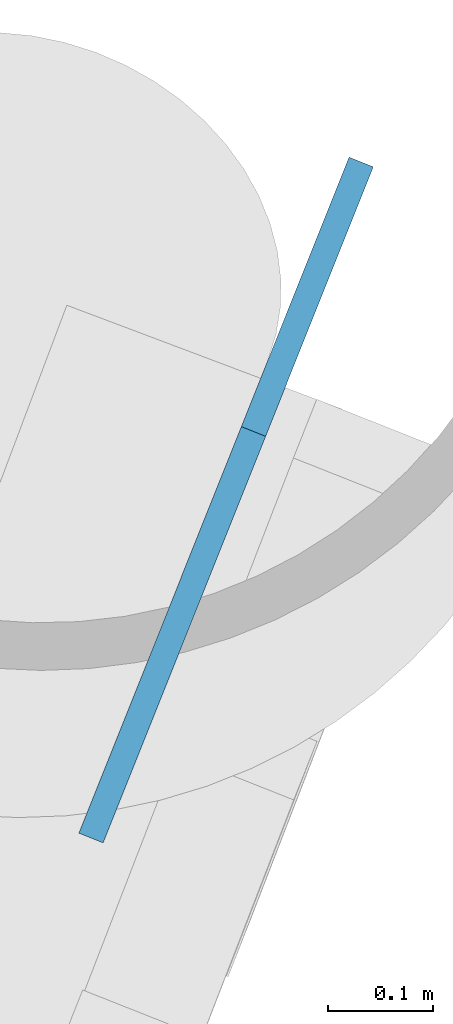
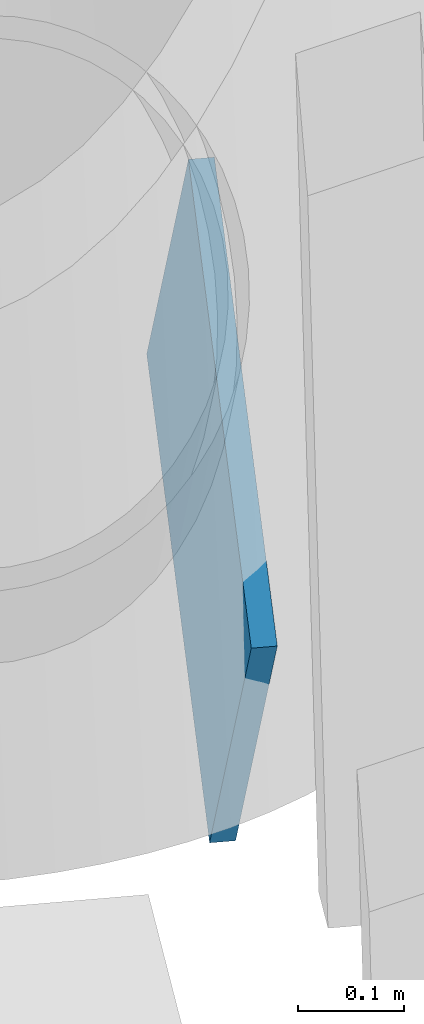
# One storey, part 14 of 23: 1 discrete accessory.
"""IFC4 building model written with IfcOpenShell, lengths in metres."""

import ifcopenshell
import ifcopenshell.guid

model = None  # the IFC model being written
_history = None  # IfcOwnerHistory: only IFC2X3 demands one
_inside = {}  # id of a spatial element -> (the spatial element, [elements in it])
_under = {}  # id of a project, library or spatial element -> (it, [spatial elements below it])
_declared = {}  # id of a project -> (the project, [libraries it declares])
_typed = {}  # id of a type object -> (the type object, [elements of that type])
_made_of = {}  # id of a material, layer set ... -> (it, [elements and type objects made of it])


def new_model(schema):
    """Start an empty IFC model of exactly this schema.

    Asked for "IFC4X3", IfcOpenShell would pick the latest addendum, in which some entities
    have other attributes; the version numbers below select the first issue.
    IFC2X3 requires an IfcOwnerHistory on every rooted entity: one is made here for all.
    """
    global model, _history
    if schema == "IFC4X3":
        model = ifcopenshell.file(schema_version=(4, 3, 0, 0))
    else:
        model = ifcopenshell.file(schema=schema)
    _inside.clear()
    _under.clear()
    _declared.clear()
    _typed.clear()
    _made_of.clear()
    _history = None
    if model.schema == "IFC2X3":
        org = make("IfcOrganization", Name="unknown")
        user = make(
            "IfcPersonAndOrganization",
            ThePerson=make("IfcPerson", FamilyName="unknown"),
            TheOrganization=org,
        )
        app = make(
            "IfcApplication",
            ApplicationDeveloper=org,
            Version="unknown",
            ApplicationFullName="unknown",
            ApplicationIdentifier="unknown",
        )
        _history = make(
            "IfcOwnerHistory",
            OwningUser=user,
            OwningApplication=app,
            ChangeAction="ADDED",
            CreationDate=0,
        )
    return model


def make(cls, **values):
    """One entity of the class cls with the attributes given. An attribute that is None is left unset."""
    return model.create_entity(
        cls, **{name: value for name, value in values.items() if value is not None}
    )


def rooted(cls, **values):
    """An entity with a GlobalId (a new one), such as an element, a storey or a relation."""
    return make(cls, GlobalId=ifcopenshell.guid.new(), OwnerHistory=_history, **values)


def si_unit(unit_type, name, prefix=None):
    """IfcSIUnit, for example si_unit("LENGTHUNIT", "METRE", prefix="MILLI")."""
    return make("IfcSIUnit", UnitType=unit_type, Prefix=prefix, Name=name)


def assignment(units):
    """IfcUnitAssignment: the units of a project."""
    return None if units is None else make("IfcUnitAssignment", Units=units)


def point(xyz):
    """IfcCartesianPoint."""
    return None if xyz is None else make("IfcCartesianPoint", Coordinates=xyz)


def direction(xyz):
    """IfcDirection."""
    return None if xyz is None else make("IfcDirection", DirectionRatios=xyz)


def frame(location, z_axis=None, x_axis=None):
    """IfcAxis2Placement3D, a coordinate frame: its origin and axes. An axis left out is left unset."""
    return make(
        "IfcAxis2Placement3D",
        Location=point(location),
        Axis=direction(z_axis),
        RefDirection=direction(x_axis),
    )


def frame_2d(location, x_axis=None):
    """IfcAxis2Placement2D, a coordinate frame in the plane: its origin and x axis."""
    return make(
        "IfcAxis2Placement2D", Location=point(location), RefDirection=direction(x_axis)
    )


def origin():
    """The frame at (0, 0, 0) with its axes left unset."""
    return frame((0.0, 0.0, 0.0))


def origin_2d():
    """The frame at (0, 0) in the plane with its x axis left unset."""
    return frame_2d((0.0, 0.0))


def place(relative_to, where):
    """IfcLocalPlacement: puts the frame where relative to a parent placement (None: the world)."""
    return make(
        "IfcLocalPlacement", PlacementRelTo=relative_to, RelativePlacement=where
    )


def context(
    kind, dimensions, precision=None, world=None, true_north=None, identifier=None
):
    """IfcGeometricRepresentationContext, for example the 3D "Model" context."""
    return make(
        "IfcGeometricRepresentationContext",
        ContextIdentifier=identifier,
        ContextType=kind,
        CoordinateSpaceDimension=dimensions,
        Precision=precision,
        WorldCoordinateSystem=world,
        TrueNorth=true_north,
    )


def subcontext(parent, identifier, kind, view, scale=None):
    """IfcGeometricRepresentationSubContext, for example "Body" below "Model"."""
    return make(
        "IfcGeometricRepresentationSubContext",
        ContextIdentifier=identifier,
        ContextType=kind,
        ParentContext=parent,
        TargetScale=scale,
        TargetView=view,
    )


def project(units=None, contexts=None):
    """IfcProject with its units and contexts."""
    return rooted(
        "IfcProject",
        Name="project",
        RepresentationContexts=contexts,
        UnitsInContext=assignment(units),
    )


def spatial(cls, under=None, at=None, **own):
    """A site, building, storey or space (cls), placed at a placement, below another one or the project."""
    s = rooted(cls, ObjectPlacement=at, **own)
    if under is not None:
        _under.setdefault(under.id(), (under, []))[1].append(s)
    return s


def profile(cls, at=None, kind="AREA", **sizes):
    """A parametric profile (cls). Its sizes go by their IFC names, for example OverallWidth=200.0."""
    return make(cls, ProfileType=kind, Position=at, **sizes)


def rectangle(**sizes):
    """IfcRectangleProfileDef."""
    return profile("IfcRectangleProfileDef", **sizes)


def extrude(swept, where, along, depth):
    """IfcExtrudedAreaSolid: the profile swept, set in the frame where, extruded along a direction by depth."""
    return make(
        "IfcExtrudedAreaSolid",
        SweptArea=swept,
        Position=where,
        ExtrudedDirection=direction(along),
        Depth=depth,
    )


def shape(context_of_items, identifier, shape_type, items):
    """IfcShapeRepresentation: the items that make up one representation, for example the "Body"."""
    return make(
        "IfcShapeRepresentation",
        ContextOfItems=context_of_items,
        RepresentationIdentifier=identifier,
        RepresentationType=shape_type,
        Items=items,
    )


def material(Name=None, Category=None):
    """IfcMaterial."""
    return make("IfcMaterial", Name=Name, Category=Category)


def material_profile(
    of_material, cross_section, Name=None, Category=None, Priority=None
):
    """IfcMaterialProfile: a cross section and its material."""
    return make(
        "IfcMaterialProfile",
        Name=Name,
        Material=of_material,
        Profile=cross_section,
        Priority=Priority,
        Category=Category,
    )


def profile_set(profiles, Name=None, composite=None):
    """IfcMaterialProfileSet."""
    return make(
        "IfcMaterialProfileSet",
        Name=Name,
        MaterialProfiles=profiles,
        CompositeProfile=composite,
    )


def made_of(thing, what):
    """Note that an element or type object is made of a material, layer set ...; save() writes the relation."""
    if what is not None:
        _made_of.setdefault(what.id(), (what, []))[1].append(thing)
    return thing


def type_object(cls, material=None, **own):
    """A type object (cls), such as IfcWallType, which elements share."""
    return made_of(rooted(cls, **own), material)


def element(
    cls,
    number,
    at=None,
    inside=None,
    cuts=None,
    type_object=None,
    material=None,
    context=None,
    identifier="Body",
    shape_type=None,
    held_by="IfcProductDefinitionShape",
    body=None,
    shapes=None,
    **own,
):
    """One element of the class cls, such as IfcWall. Its Tag is "e" and its number.

    at: its placement. inside: the storey or other place that contains it. cuts: it is an
    opening in that element (IfcRelVoidsElement). A single representation is given by context,
    identifier, shape_type and body (its items); several are given by shapes. held_by: the class
    of the entity that holds the representations. save() writes the other relations.
    """
    e = rooted(cls, Tag="e%d" % number, ObjectPlacement=at, **own)
    if body is not None:
        shapes = [shape(context, identifier, shape_type, body)]
    if shapes is not None:
        e.Representation = make(held_by, Representations=shapes)
    if inside is not None:
        _inside.setdefault(inside.id(), (inside, []))[1].append(e)
    if cuts is not None:
        rooted(
            "IfcRelVoidsElement", RelatingBuildingElement=cuts, RelatedOpeningElement=e
        )
    if type_object is not None:
        _typed.setdefault(type_object.id(), (type_object, []))[1].append(e)
    return made_of(e, material)


def aggregate(whole, parts):
    """IfcRelAggregates: a whole, such as a stair, and the parts it consists of."""
    return rooted("IfcRelAggregates", RelatingObject=whole, RelatedObjects=parts)


def save(model, path):
    """Write the relations noted so far, then the file.

    IfcRelAggregates (storeys below a building ...), IfcRelContainedInSpatialStructure (elements
    in a storey), IfcRelDefinesByType, IfcRelAssociatesMaterial and IfcRelDeclares: one each for
    every whole, place, type object, material and project.
    """
    for whole, parts in _under.values():
        aggregate(whole, parts)
    for where, things in _inside.values():
        rooted(
            "IfcRelContainedInSpatialStructure",
            RelatedElements=things,
            RelatingStructure=where,
        )
    for kind, things in _typed.values():
        rooted("IfcRelDefinesByType", RelatedObjects=things, RelatingType=kind)
    for what, things in _made_of.values():
        rooted("IfcRelAssociatesMaterial", RelatedObjects=things, RelatingMaterial=what)
    for by, libraries in _declared.values():
        rooted("IfcRelDeclares", RelatingContext=by, RelatedDefinitions=libraries)
    model.write(path)


model = new_model("IFC4")

# Units and contexts
model_context = context("Model", 3, precision=1e-05, world=origin(), true_north=direction((0.0, 1.0)))
body_context = subcontext(model_context, "Body", "Model", "MODEL_VIEW")
ifc_project = project(units=[si_unit("LENGTHUNIT", "METRE"), si_unit("AREAUNIT", "SQUARE_METRE"), si_unit("VOLUMEUNIT", "CUBIC_METRE"), si_unit("PLANEANGLEUNIT", "RADIAN"), si_unit("MASSUNIT", "GRAM", prefix="KILO")], contexts=[model_context])

# Site, building, storey
site_placement = place(None, origin())
site = spatial("IfcSite", under=ifc_project, at=site_placement, CompositionType="ELEMENT")
building_placement = place(site_placement, origin())
building = spatial("IfcBuilding", under=site, at=building_placement, Name="Tarsis Ring Headquarters", CompositionType="ELEMENT")
storey_placement = place(building_placement, frame((0.0, 0.0, 231.60009765625)))
storey = spatial("IfcBuildingStorey", under=building, at=storey_placement, Name="L54", CompositionType="ELEMENT", Elevation=231.60009765625)

# Discrete accessory
ifc_material = material(Name="Structural steel S355", Category="steel")
ifc_material_profile = material_profile(ifc_material, rectangle(XDim=0.02490234375, YDim=0.5, at=origin_2d()), Name="PL 25x500")
ifc_profile_set = profile_set([ifc_material_profile], Name="Structural steel S355")
discrete_accessory_type = type_object("IfcDiscreteAccessoryType", Name="Gusset plate Exo brace 25", PredefinedType="BRACKET", material=ifc_profile_set)
discrete_accessory_placement = place(storey_placement, frame((28.902099609375, -4.86572265625, 0.0), z_axis=(-0.205148251126, -0.513359076031, 0.833292658144), x_axis=(0.928598508218, -0.371085988061, 0.0)))
element("IfcDiscreteAccessory", 1, at=discrete_accessory_placement, inside=storey, type_object=discrete_accessory_type, Name="Gusset plate GP5", PredefinedType="BRACKET", context=body_context, shape_type="SweptSolid", body=[
    extrude(rectangle(XDim=0.02490234375, YDim=0.5, at=origin_2d()), origin(), (0.0, 0.0, 1.0), 0.499755859375),
])

save(model, "model.ifc")
